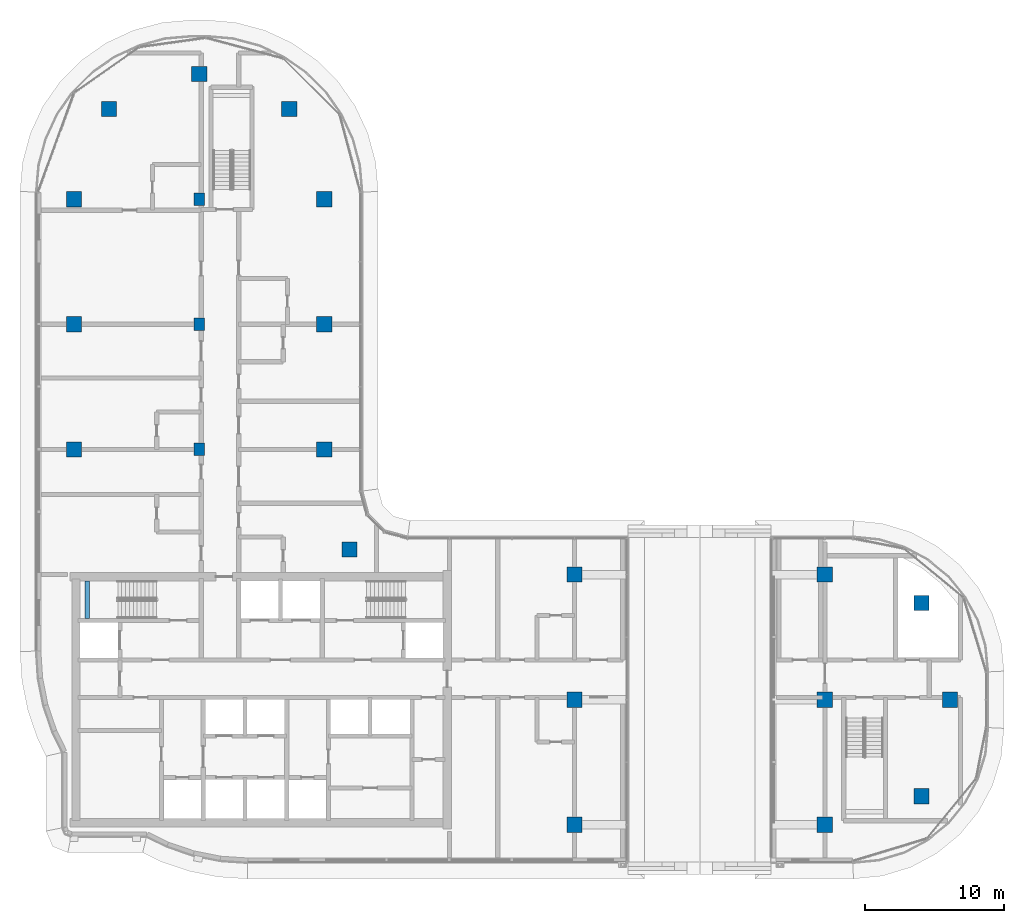
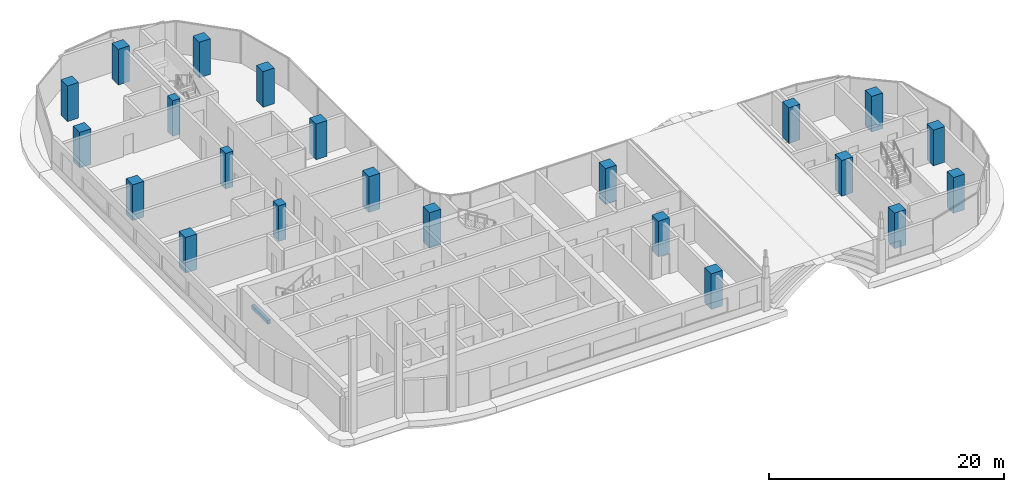
# One storey, part 1 of 23: 22 columns, 1 beam.
"""IFC4 building model written with IfcOpenShell, lengths in metres."""

from ifc_helpers import new_model, si_unit, direction, frame, origin, origin_2d, place, context, subcontext, project, spatial, rectangle, extrude, material, material_profile, profile_set, type_object, element, save


model = new_model("IFC4")

# Units and contexts
model_context = context("Model", 3, precision=1e-05, world=origin(), true_north=direction((0.0, 1.0)))
body_context = subcontext(model_context, "Body", "Model", "MODEL_VIEW")
ifc_project = project(units=[si_unit("LENGTHUNIT", "METRE"), si_unit("AREAUNIT", "SQUARE_METRE"), si_unit("VOLUMEUNIT", "CUBIC_METRE"), si_unit("PLANEANGLEUNIT", "RADIAN"), si_unit("MASSUNIT", "GRAM", prefix="KILO")], contexts=[model_context])

# Site, building, storey
site_placement = place(None, origin())
site = spatial("IfcSite", under=ifc_project, at=site_placement, CompositionType="ELEMENT")
building_placement = place(site_placement, origin())
building = spatial("IfcBuilding", under=site, at=building_placement, Name="Ogive Portal Towers", CompositionType="ELEMENT")
storey_placement = place(building_placement, frame((0.0, 0.0, 179.199951171875)))
storey = spatial("IfcBuildingStorey", under=building, at=storey_placement, Name="L44", CompositionType="ELEMENT", Elevation=179.199951171875)

# Columns
ifc_material_1 = material(Name="Concrete C60/75", Category="concrete")
ifc_material_profile_1 = material_profile(ifc_material_1, rectangle(XDim=1.10009765625, YDim=1.10009765625, at=origin_2d()), Name="RC 1100x1100")
ifc_profile_set_1 = profile_set([ifc_material_profile_1], Name="Concrete C60/75")
column_type_1 = type_object("IfcColumnType", Name="COLUMN RC 1100x1100", PredefinedType="COLUMN", material=ifc_profile_set_1)
for number, where, z_axis, x_axis, name in (
    (1, (67.5, 21.5, 0.0), (0.0, 0.0, 1.0), (1.0, 0.0, 0.0), "Column 5/A L44"),
    (2, (85.5, 21.5, 0.0), (0.0, 0.0, 1.0), (1.0, 0.0, 0.0), "Column 7/A L44"),
    (3, (92.449951171875, 23.550048828125, 0.0), (0.0, 0.0, 1.0), (1.0, 0.0, 0.0), "Column L44"),
    (4, (67.5, 30.5, 0.0), (0.0, 0.0, 1.0), (1.0, 0.0, 0.0), "Column 5/B L44"),
    (5, (85.5, 30.5, 0.0), (0.0, 0.0, 1.0), (1.0, 0.0, 0.0), "Column 7/B L44"),
    (6, (94.5, 30.5, 0.0), (0.0, 0.0, 1.0), (1.0, 0.0, 0.0), "Column 8/B L44"),
    (7, (92.449951171875, 37.449951171875, 0.0), (0.0, 0.0, 1.0), (1.0, 0.0, 0.0), "Column L44"),
    (8, (67.5, 39.5, 0.0), (0.0, 0.0, 1.0), (1.0, 0.0, 0.0), "Column 5/C L44"),
    (9, (85.5, 39.5, 0.0), (0.0, 0.0, 1.0), (1.0, 0.0, 0.0), "Column 7/C L44"),
    (10, (51.31005859375, 41.31005859375, 0.0), (0.0, 0.0, 1.0), (1.0, 0.0, 0.0), "Column L44"),
    (11, (31.5, 48.5, 0.0), (0.0, 0.0, 1.0), (1.0, 0.0, 0.0), "Column 1/D L44"),
    (12, (49.5, 48.5, 0.0), (0.0, 0.0, 1.0), (1.0, 0.0, 0.0), "Column 3/D L44"),
    (13, (31.5, 57.5, 0.0), (0.0, 0.0, 1.0), (1.0, 0.0, 0.0), "Column 1/E L44"),
    (14, (49.5, 57.5, 0.0), (0.0, 0.0, 1.0), (1.0, 0.0, 0.0), "Column 3/E L44"),
    (15, (31.5, 66.5, 0.0), (0.0, 0.0, 1.0), (1.0, 0.0, 0.0), "Column 1/F L44"),
    (16, (49.5, 66.5, 0.0), (0.0, 0.0, 1.0), (1.0, 0.0, 0.0), "Column 3/F L44"),
    (17, (34.027099609375, 72.972900390625, 0.0), (0.0, 0.0, 1.0), (1.0, 0.0, 0.0), "Column L44"),
    (18, (46.972900390625, 72.972900390625, 0.0), (0.0, 0.0, 1.0), (1.0, 0.0, 0.0), "Column L44"),
    (19, (40.5, 75.5, 0.0), (0.0, 0.0, 1.0), (1.0, 0.0, 0.0), "Column 2/G L44"),
):
    element("IfcColumn", number, at=place(storey_placement, frame(where, z_axis=z_axis, x_axis=x_axis)), inside=storey, type_object=column_type_1, Name=name, PredefinedType="COLUMN", context=body_context, shape_type="SweptSolid", body=[
        extrude(rectangle(XDim=1.10009765625, YDim=1.10009765625, at=origin_2d()), origin(), (0.0, 0.0, 1.0), 3.699951171875),
    ])
ifc_material_profile_2 = material_profile(ifc_material_1, rectangle(XDim=0.89990234375, YDim=0.75, at=origin_2d()), Name="RC 900x750")
ifc_profile_set_2 = profile_set([ifc_material_profile_2], Name="Concrete C60/75")
column_type_2 = type_object("IfcColumnType", Name="COLUMN RC 900x750", PredefinedType="COLUMN", material=ifc_profile_set_2)
for number, where, z_axis, x_axis, name in (
    (20, (40.5, 48.5, 0.0), (0.0, 0.0, 1.0), (0.0, 1.0, 0.0), "Column 2/D L44"),
    (21, (40.5, 57.5, 0.0), (0.0, 0.0, 1.0), (0.0, 1.0, 0.0), "Column 2/E L44"),
    (22, (40.5, 66.5, 0.0), (0.0, 0.0, 1.0), (0.0, 1.0, 0.0), "Column 2/F L44"),
):
    element("IfcColumn", number, at=place(storey_placement, frame(where, z_axis=z_axis, x_axis=x_axis)), inside=storey, type_object=column_type_2, Name=name, PredefinedType="COLUMN", context=body_context, shape_type="SweptSolid", body=[
        extrude(rectangle(XDim=0.89990234375, YDim=0.75, at=origin_2d()), origin(), (0.0, 0.0, 1.0), 3.699951171875),
    ])

# Beam
ifc_material_2 = material(Name="Concrete C40/50", Category="concrete")
ifc_material_profile_3 = material_profile(ifc_material_2, rectangle(XDim=0.300048828125, YDim=0.39990234375, at=origin_2d()), Name="RC 300x400")
ifc_profile_set_3 = profile_set([ifc_material_profile_3], Name="Concrete C40/50")
beam_type = type_object("IfcBeamType", Name="BEAM RC 300x400", PredefinedType="BEAM", material=ifc_profile_set_3)
beam_placement = place(storey_placement, frame((32.449951171875, 36.35009765625, 1.449951171875), z_axis=(0.0, 1.0, 0.0), x_axis=(-1.0, 0.0, 0.0)))
element("IfcBeam", 23, at=beam_placement, inside=storey, type_object=beam_type, Name="Landing beam L44", PredefinedType="BEAM", context=body_context, shape_type="SweptSolid", body=[
    extrude(rectangle(XDim=0.300048828125, YDim=0.39990234375, at=origin_2d()), origin(), (0.0, 0.0, 1.0), 2.699951171875),
])

save(model, "model.ifc")
